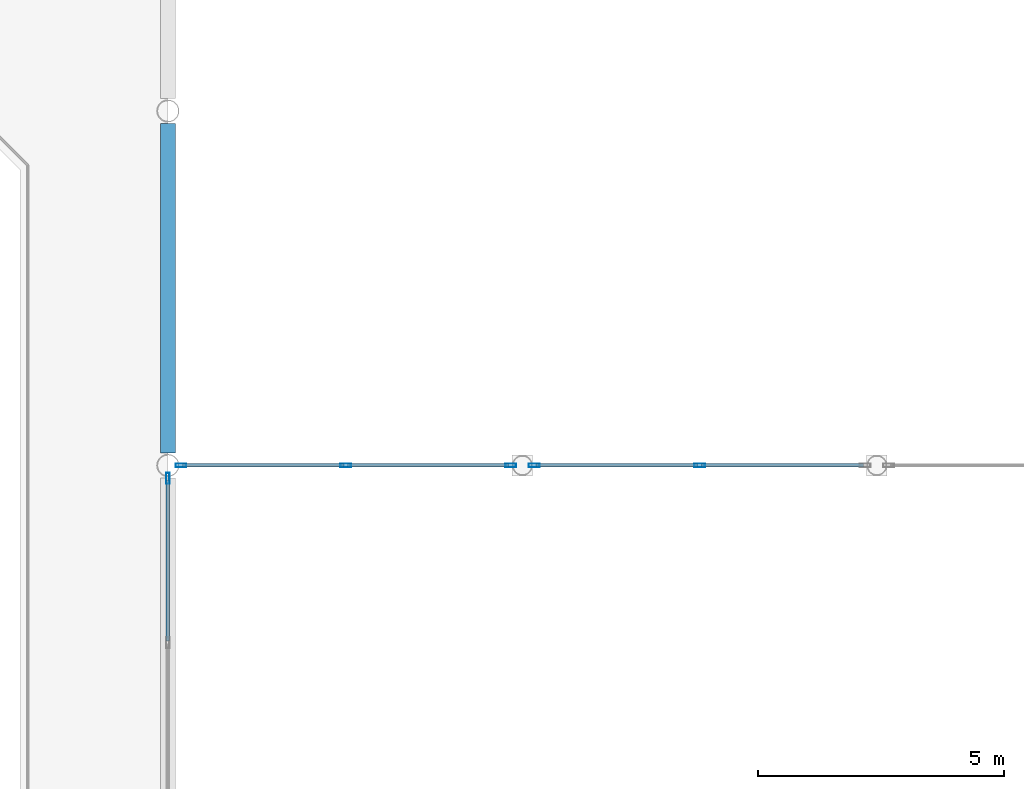
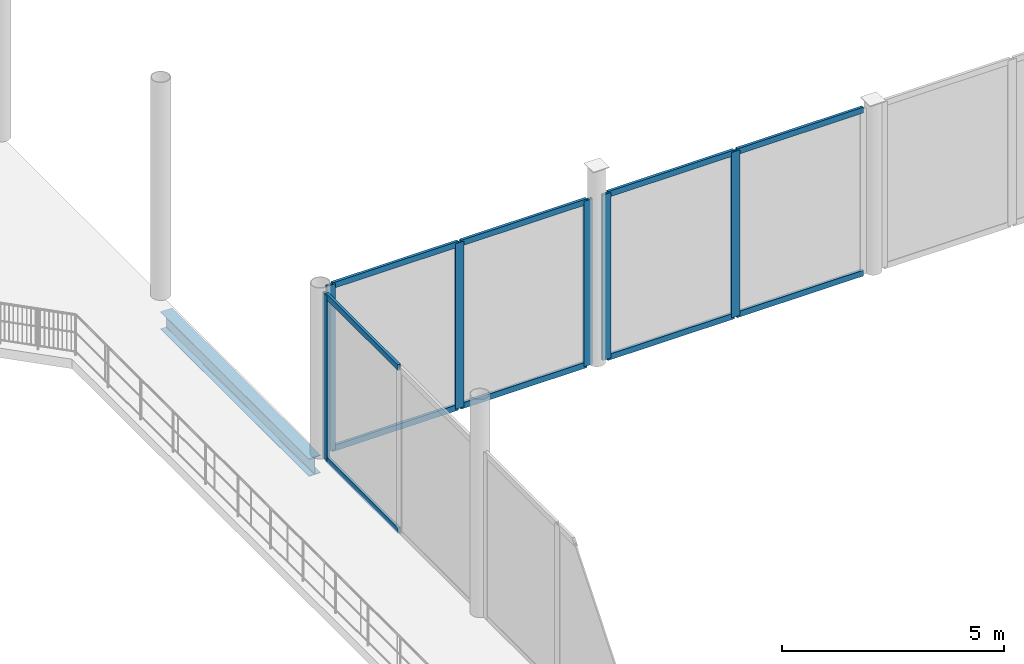
# One storey, part 57 of 120: 16 members, 1 beam, 3 elements without a shape of their own.
"""IFC4 building model written with IfcOpenShell, lengths in metres."""

from ifc_helpers import new_model, si_unit, direction, frame, origin, origin_2d, place, context, subcontext, project, spatial, hollow_rectangle, i_section, extrude, material, material_profile, profile_set, type_object, element, aggregate, save


model = new_model("IFC4")

# Units and contexts
model_context = context("Model", 3, precision=1e-05, world=origin(), true_north=direction((0.0, 1.0)))
body_context = subcontext(model_context, "Body", "Model", "MODEL_VIEW")
ifc_project = project(units=[si_unit("LENGTHUNIT", "METRE"), si_unit("AREAUNIT", "SQUARE_METRE"), si_unit("VOLUMEUNIT", "CUBIC_METRE"), si_unit("PLANEANGLEUNIT", "RADIAN"), si_unit("MASSUNIT", "GRAM", prefix="KILO")], contexts=[model_context])

# Site, building, storey
site_placement = place(None, origin())
site = spatial("IfcSite", under=ifc_project, at=site_placement, CompositionType="ELEMENT")
building_placement = place(site_placement, origin())
building = spatial("IfcBuilding", under=site, at=building_placement, Name="Vesperath Aquatics Centre", CompositionType="ELEMENT")
storey_placement = place(building_placement, frame((0.0, 0.0, 10.199951171875)))
storey = spatial("IfcBuildingStorey", under=building, at=storey_placement, Name="L02", CompositionType="ELEMENT", Elevation=10.199951171875)

# Beam
ifc_material_1 = material(Name="Steel Q355C", Category="steel")
ifc_material_profile_1 = material_profile(ifc_material_1, i_section(OverallWidth=0.300048828125, OverallDepth=0.488037109375, WebThickness=0.010986328125, FlangeThickness=0.01806640625, FilletRadius=0.02587890625, at=origin_2d()), Name="HM 488x300x11x18")
ifc_profile_set_1 = profile_set([ifc_material_profile_1], Name="Steel Q355C")
beam_type = type_object("IfcBeamType", Name="BM-G10", PredefinedType="BEAM", material=ifc_profile_set_1)
beam_placement = place(storey_placement, frame((115.199951171875, 65.053955078125, -0.50390625), z_axis=(0.0, 1.0, 0.0), x_axis=(-1.0, 0.0, 0.0)))
element("IfcBeam", 1, at=beam_placement, inside=storey, type_object=beam_type, Name="Floor Girder B10 L02 17 K-L", PredefinedType="BEAM", context=body_context, shape_type="SweptSolid", body=[
    extrude(i_section(OverallWidth=0.300048828125, OverallDepth=0.488037109375, WebThickness=0.010986328125, FlangeThickness=0.01806640625, FilletRadius=0.02587890625, at=origin_2d()), origin(), (0.0, 0.0, 1.0), 6.692138671875),
])

# Curtain wall, members
ifc_material_2 = material(Name="Thermally broken anodised bronze aluminium curtain wall", Category="aluminium")
curtain_wall_type = type_object("IfcCurtainWallType", Name="CW-06", PredefinedType="NOTDEFINED", material=ifc_material_2)
curtain_wall_1_placement = place(storey_placement, origin())
curtain_wall_1 = element("IfcCurtainWall", 2, at=curtain_wall_1_placement, inside=storey, type_object=curtain_wall_type, Name="Facade Curtain Wall CW06 L02_S_16_09", PredefinedType="NOTDEFINED")
ifc_material_3 = material(Name="Thermally broken anodised aluminium", Category="aluminium")
ifc_material_profile_2 = material_profile(ifc_material_3, hollow_rectangle(XDim=0.070068359375, YDim=0.219970703125, WallThickness=0.0048828125, at=origin_2d()), Name="CWM 70x220x5")
ifc_profile_set_2 = profile_set([ifc_material_profile_2], Name="Thermally broken anodised aluminium")
member_type_1 = type_object("IfcMemberType", Name="MB-CWM2", PredefinedType="MULLION", material=ifc_profile_set_2)
member_1_placement = place(storey_placement, frame((115.46337890625, 64.800048828125, 0.0), z_axis=(0.0, 0.0, 1.0), x_axis=(0.0, 1.0, 0.0)))
member_1 = element("IfcMember", 3, at=member_1_placement, type_object=member_type_1, Name="CW06 mullion 1", PredefinedType="MULLION", context=body_context, shape_type="SweptSolid", body=[
    extrude(hollow_rectangle(XDim=0.070068359375, YDim=0.219970703125, WallThickness=0.0048828125, at=origin_2d()), origin(), (0.0, 0.0, 1.0), 4.56005859375),
])
member_2_placement = place(storey_placement, frame((118.812744140625, 64.800048828125, 0.0), z_axis=(0.0, 0.0, 1.0), x_axis=(0.0, 1.0, 0.0)))
member_2 = element("IfcMember", 4, at=member_2_placement, type_object=member_type_1, Name="CW06 mullion 2", PredefinedType="MULLION", context=body_context, shape_type="SweptSolid", body=[
    extrude(hollow_rectangle(XDim=0.070068359375, YDim=0.219970703125, WallThickness=0.0048828125, at=origin_2d()), origin(), (0.0, 0.0, 1.0), 4.56005859375),
])
member_3_placement = place(storey_placement, frame((122.161865234375, 64.800048828125, 0.0), z_axis=(0.0, 0.0, 1.0), x_axis=(0.0, 1.0, 0.0)))
member_3 = element("IfcMember", 5, at=member_3_placement, type_object=member_type_1, Name="CW06 mullion 3", PredefinedType="MULLION", context=body_context, shape_type="SweptSolid", body=[
    extrude(hollow_rectangle(XDim=0.070068359375, YDim=0.219970703125, WallThickness=0.0048828125, at=origin_2d()), origin(), (0.0, 0.0, 1.0), 4.56005859375),
])

curtain_wall_2_placement = place(storey_placement, origin())
curtain_wall_2 = element("IfcCurtainWall", 6, at=curtain_wall_2_placement, inside=storey, type_object=curtain_wall_type, Name="Facade Curtain Wall CW06 L02_S_17_09", PredefinedType="NOTDEFINED")
member_4_placement = place(storey_placement, frame((122.63818359375, 64.800048828125, 0.0), z_axis=(0.0, 0.0, 1.0), x_axis=(0.0, 1.0, 0.0)))
member_4 = element("IfcMember", 7, at=member_4_placement, type_object=member_type_1, Name="CW06 mullion 1", PredefinedType="MULLION", context=body_context, shape_type="SweptSolid", body=[
    extrude(hollow_rectangle(XDim=0.070068359375, YDim=0.219970703125, WallThickness=0.0048828125, at=origin_2d()), origin(), (0.0, 0.0, 1.0), 4.56005859375),
])
member_5_placement = place(storey_placement, frame((126.0, 64.800048828125, 0.0), z_axis=(0.0, 0.0, 1.0), x_axis=(0.0, 1.0, 0.0)))
member_5 = element("IfcMember", 8, at=member_5_placement, type_object=member_type_1, Name="CW06 mullion 2", PredefinedType="MULLION", context=body_context, shape_type="SweptSolid", body=[
    extrude(hollow_rectangle(XDim=0.070068359375, YDim=0.219970703125, WallThickness=0.0048828125, at=origin_2d()), origin(), (0.0, 0.0, 1.0), 4.56005859375),
])

# Curtain wall, member
curtain_wall_3_placement = place(storey_placement, origin())
curtain_wall_3 = element("IfcCurtainWall", 9, at=curtain_wall_3_placement, inside=storey, type_object=curtain_wall_type, Name="Facade Curtain Wall CW06 L02_E_16_08", PredefinedType="NOTDEFINED")
member_6_placement = place(storey_placement, frame((115.199951171875, 64.53662109375, 0.0), z_axis=(0.0, 0.0, 1.0), x_axis=(-1.0, 0.0, 0.0)))
member_6 = element("IfcMember", 10, at=member_6_placement, type_object=member_type_1, Name="CW06 mullion 3", PredefinedType="MULLION", context=body_context, shape_type="SweptSolid", body=[
    extrude(hollow_rectangle(XDim=0.070068359375, YDim=0.219970703125, WallThickness=0.0048828125, at=origin_2d()), origin(), (0.0, 0.0, 1.0), 4.56005859375),
])

# Member
ifc_material_profile_3 = material_profile(ifc_material_3, hollow_rectangle(XDim=0.070068359375, YDim=0.159912109375, WallThickness=0.0048828125, at=origin_2d()), Name="CWT 70x160x5")
ifc_profile_set_3 = profile_set([ifc_material_profile_3], Name="Thermally broken anodised aluminium")
member_type_2 = type_object("IfcMemberType", Name="MB-CWT2", PredefinedType="USERDEFINED", material=ifc_profile_set_3)
member_7_placement = place(storey_placement, frame((115.49853515625, 64.800048828125, 0.03515625), z_axis=(1.0, 0.0, 0.0), x_axis=(0.0, 1.0, 0.0)))
member_7 = element("IfcMember", 11, at=member_7_placement, type_object=member_type_2, Name="CW06 transom 1.1", ObjectType="TRANSOM", PredefinedType="USERDEFINED", context=body_context, shape_type="SweptSolid", body=[
    extrude(hollow_rectangle(XDim=0.070068359375, YDim=0.159912109375, WallThickness=0.0048828125, at=origin_2d()), origin(), (0.0, 0.0, 1.0), 3.279052734375),
])

member_8_placement = place(storey_placement, frame((115.49853515625, 64.800048828125, 4.525146484375), z_axis=(1.0, 0.0, 0.0), x_axis=(0.0, 1.0, 0.0)))
member_8 = element("IfcMember", 12, at=member_8_placement, type_object=member_type_2, Name="CW06 transom 1.2", ObjectType="TRANSOM", PredefinedType="USERDEFINED", context=body_context, shape_type="SweptSolid", body=[
    extrude(hollow_rectangle(XDim=0.070068359375, YDim=0.159912109375, WallThickness=0.0048828125, at=origin_2d()), origin(), (0.0, 0.0, 1.0), 3.279052734375),
])

member_9_placement = place(storey_placement, frame((118.84765625, 64.800048828125, 0.03515625), z_axis=(1.0, 0.0, 0.0), x_axis=(0.0, 1.0, 0.0)))
member_9 = element("IfcMember", 13, at=member_9_placement, type_object=member_type_2, Name="CW06 transom 2.1", ObjectType="TRANSOM", PredefinedType="USERDEFINED", context=body_context, shape_type="SweptSolid", body=[
    extrude(hollow_rectangle(XDim=0.070068359375, YDim=0.159912109375, WallThickness=0.0048828125, at=origin_2d()), origin(), (0.0, 0.0, 1.0), 3.279052734375),
])

member_10_placement = place(storey_placement, frame((118.84765625, 64.800048828125, 4.525146484375), z_axis=(1.0, 0.0, 0.0), x_axis=(0.0, 1.0, 0.0)))
member_10 = element("IfcMember", 14, at=member_10_placement, type_object=member_type_2, Name="CW06 transom 2.2", ObjectType="TRANSOM", PredefinedType="USERDEFINED", context=body_context, shape_type="SweptSolid", body=[
    extrude(hollow_rectangle(XDim=0.070068359375, YDim=0.159912109375, WallThickness=0.0048828125, at=origin_2d()), origin(), (0.0, 0.0, 1.0), 3.279052734375),
])

aggregate(curtain_wall_1, [member_1, member_2, member_3, member_7, member_8, member_9, member_10])

member_11_placement = place(storey_placement, frame((122.673095703125, 64.800048828125, 0.03515625), z_axis=(1.0, 0.0, 0.0), x_axis=(0.0, 1.0, 0.0)))
member_11 = element("IfcMember", 15, at=member_11_placement, type_object=member_type_2, Name="CW06 transom 1.1", ObjectType="TRANSOM", PredefinedType="USERDEFINED", context=body_context, shape_type="SweptSolid", body=[
    extrude(hollow_rectangle(XDim=0.070068359375, YDim=0.159912109375, WallThickness=0.0048828125, at=origin_2d()), origin(), (0.0, 0.0, 1.0), 3.2919921875),
])

member_12_placement = place(storey_placement, frame((122.673095703125, 64.800048828125, 4.525146484375), z_axis=(1.0, 0.0, 0.0), x_axis=(0.0, 1.0, 0.0)))
member_12 = element("IfcMember", 16, at=member_12_placement, type_object=member_type_2, Name="CW06 transom 1.2", ObjectType="TRANSOM", PredefinedType="USERDEFINED", context=body_context, shape_type="SweptSolid", body=[
    extrude(hollow_rectangle(XDim=0.070068359375, YDim=0.159912109375, WallThickness=0.0048828125, at=origin_2d()), origin(), (0.0, 0.0, 1.0), 3.2919921875),
])

member_13_placement = place(storey_placement, frame((126.034912109375, 64.800048828125, 0.03515625), z_axis=(1.0, 0.0, 0.0), x_axis=(0.0, 1.0, 0.0)))
member_13 = element("IfcMember", 17, at=member_13_placement, type_object=member_type_2, Name="CW06 transom 2.1", ObjectType="TRANSOM", PredefinedType="USERDEFINED", context=body_context, shape_type="SweptSolid", body=[
    extrude(hollow_rectangle(XDim=0.070068359375, YDim=0.159912109375, WallThickness=0.0048828125, at=origin_2d()), origin(), (0.0, 0.0, 1.0), 3.2919921875),
])

member_14_placement = place(storey_placement, frame((126.034912109375, 64.800048828125, 4.525146484375), z_axis=(1.0, 0.0, 0.0), x_axis=(0.0, 1.0, 0.0)))
member_14 = element("IfcMember", 18, at=member_14_placement, type_object=member_type_2, Name="CW06 transom 2.2", ObjectType="TRANSOM", PredefinedType="USERDEFINED", context=body_context, shape_type="SweptSolid", body=[
    extrude(hollow_rectangle(XDim=0.070068359375, YDim=0.159912109375, WallThickness=0.0048828125, at=origin_2d()), origin(), (0.0, 0.0, 1.0), 3.2919921875),
])

aggregate(curtain_wall_2, [member_4, member_5, member_11, member_12, member_13, member_14])

member_15_placement = place(storey_placement, frame((115.199951171875, 61.235107421875, 0.03515625), z_axis=(0.0, 1.0, 0.0), x_axis=(-1.0, 0.0, 0.0)))
member_15 = element("IfcMember", 19, at=member_15_placement, type_object=member_type_2, Name="CW06 transom 2.1", ObjectType="TRANSOM", PredefinedType="USERDEFINED", context=body_context, shape_type="SweptSolid", body=[
    extrude(hollow_rectangle(XDim=0.070068359375, YDim=0.159912109375, WallThickness=0.0048828125, at=origin_2d()), origin(), (0.0, 0.0, 1.0), 3.266357421875),
])

member_16_placement = place(storey_placement, frame((115.199951171875, 61.235107421875, 4.525146484375), z_axis=(0.0, 1.0, 0.0), x_axis=(-1.0, 0.0, 0.0)))
member_16 = element("IfcMember", 20, at=member_16_placement, type_object=member_type_2, Name="CW06 transom 2.2", ObjectType="TRANSOM", PredefinedType="USERDEFINED", context=body_context, shape_type="SweptSolid", body=[
    extrude(hollow_rectangle(XDim=0.070068359375, YDim=0.159912109375, WallThickness=0.0048828125, at=origin_2d()), origin(), (0.0, 0.0, 1.0), 3.266357421875),
])

aggregate(curtain_wall_3, [member_6, member_15, member_16])

save(model, "model.ifc")
